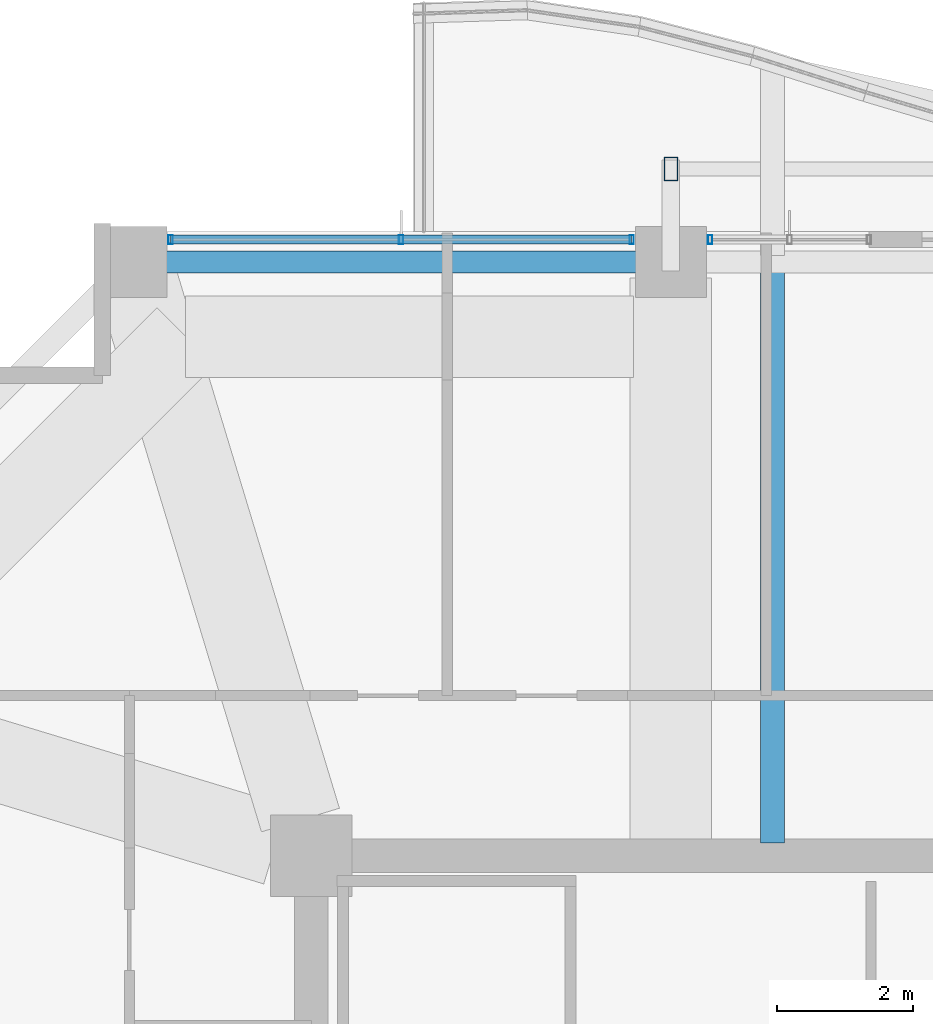
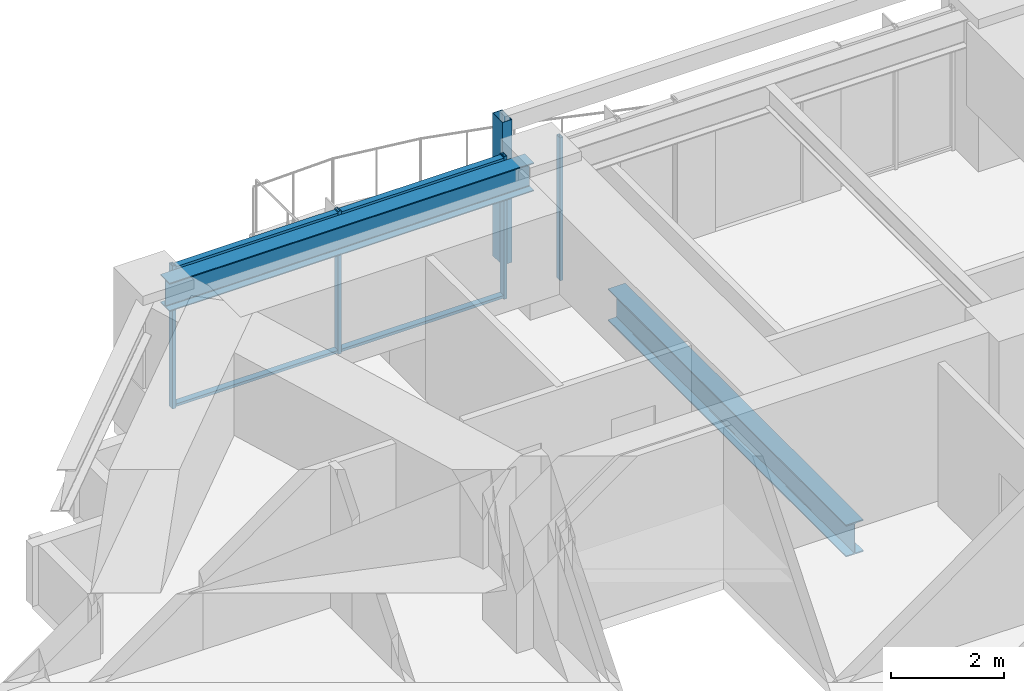
# One storey, part 15 of 28: 7 members, 2 beams, 2 elements without a shape of their own.
"""IFC4 building model written with IfcOpenShell, lengths in metres."""

import ifcopenshell
import ifcopenshell.guid

model = None  # the IFC model being written
_history = None  # IfcOwnerHistory: only IFC2X3 demands one
_inside = {}  # id of a spatial element -> (the spatial element, [elements in it])
_under = {}  # id of a project, library or spatial element -> (it, [spatial elements below it])
_declared = {}  # id of a project -> (the project, [libraries it declares])
_typed = {}  # id of a type object -> (the type object, [elements of that type])
_made_of = {}  # id of a material, layer set ... -> (it, [elements and type objects made of it])


def new_model(schema):
    """Start an empty IFC model of exactly this schema.

    Asked for "IFC4X3", IfcOpenShell would pick the latest addendum, in which some entities
    have other attributes; the version numbers below select the first issue.
    IFC2X3 requires an IfcOwnerHistory on every rooted entity: one is made here for all.
    """
    global model, _history
    if schema == "IFC4X3":
        model = ifcopenshell.file(schema_version=(4, 3, 0, 0))
    else:
        model = ifcopenshell.file(schema=schema)
    _inside.clear()
    _under.clear()
    _declared.clear()
    _typed.clear()
    _made_of.clear()
    _history = None
    if model.schema == "IFC2X3":
        org = make("IfcOrganization", Name="unknown")
        user = make(
            "IfcPersonAndOrganization",
            ThePerson=make("IfcPerson", FamilyName="unknown"),
            TheOrganization=org,
        )
        app = make(
            "IfcApplication",
            ApplicationDeveloper=org,
            Version="unknown",
            ApplicationFullName="unknown",
            ApplicationIdentifier="unknown",
        )
        _history = make(
            "IfcOwnerHistory",
            OwningUser=user,
            OwningApplication=app,
            ChangeAction="ADDED",
            CreationDate=0,
        )
    return model


def make(cls, **values):
    """One entity of the class cls with the attributes given. An attribute that is None is left unset."""
    return model.create_entity(
        cls, **{name: value for name, value in values.items() if value is not None}
    )


def rooted(cls, **values):
    """An entity with a GlobalId (a new one), such as an element, a storey or a relation."""
    return make(cls, GlobalId=ifcopenshell.guid.new(), OwnerHistory=_history, **values)


def si_unit(unit_type, name, prefix=None):
    """IfcSIUnit, for example si_unit("LENGTHUNIT", "METRE", prefix="MILLI")."""
    return make("IfcSIUnit", UnitType=unit_type, Prefix=prefix, Name=name)


def assignment(units):
    """IfcUnitAssignment: the units of a project."""
    return None if units is None else make("IfcUnitAssignment", Units=units)


def point(xyz):
    """IfcCartesianPoint."""
    return None if xyz is None else make("IfcCartesianPoint", Coordinates=xyz)


def direction(xyz):
    """IfcDirection."""
    return None if xyz is None else make("IfcDirection", DirectionRatios=xyz)


def frame(location, z_axis=None, x_axis=None):
    """IfcAxis2Placement3D, a coordinate frame: its origin and axes. An axis left out is left unset."""
    return make(
        "IfcAxis2Placement3D",
        Location=point(location),
        Axis=direction(z_axis),
        RefDirection=direction(x_axis),
    )


def frame_2d(location, x_axis=None):
    """IfcAxis2Placement2D, a coordinate frame in the plane: its origin and x axis."""
    return make(
        "IfcAxis2Placement2D", Location=point(location), RefDirection=direction(x_axis)
    )


def origin():
    """The frame at (0, 0, 0) with its axes left unset."""
    return frame((0.0, 0.0, 0.0))


def origin_2d():
    """The frame at (0, 0) in the plane with its x axis left unset."""
    return frame_2d((0.0, 0.0))


def place(relative_to, where):
    """IfcLocalPlacement: puts the frame where relative to a parent placement (None: the world)."""
    return make(
        "IfcLocalPlacement", PlacementRelTo=relative_to, RelativePlacement=where
    )


def context(
    kind, dimensions, precision=None, world=None, true_north=None, identifier=None
):
    """IfcGeometricRepresentationContext, for example the 3D "Model" context."""
    return make(
        "IfcGeometricRepresentationContext",
        ContextIdentifier=identifier,
        ContextType=kind,
        CoordinateSpaceDimension=dimensions,
        Precision=precision,
        WorldCoordinateSystem=world,
        TrueNorth=true_north,
    )


def subcontext(parent, identifier, kind, view, scale=None):
    """IfcGeometricRepresentationSubContext, for example "Body" below "Model"."""
    return make(
        "IfcGeometricRepresentationSubContext",
        ContextIdentifier=identifier,
        ContextType=kind,
        ParentContext=parent,
        TargetScale=scale,
        TargetView=view,
    )


def project(units=None, contexts=None):
    """IfcProject with its units and contexts."""
    return rooted(
        "IfcProject",
        Name="project",
        RepresentationContexts=contexts,
        UnitsInContext=assignment(units),
    )


def spatial(cls, under=None, at=None, **own):
    """A site, building, storey or space (cls), placed at a placement, below another one or the project."""
    s = rooted(cls, ObjectPlacement=at, **own)
    if under is not None:
        _under.setdefault(under.id(), (under, []))[1].append(s)
    return s


def profile(cls, at=None, kind="AREA", **sizes):
    """A parametric profile (cls). Its sizes go by their IFC names, for example OverallWidth=200.0."""
    return make(cls, ProfileType=kind, Position=at, **sizes)


def hollow_rectangle(**sizes):
    """IfcRectangleHollowProfileDef."""
    return profile("IfcRectangleHollowProfileDef", **sizes)


def i_section(**sizes):
    """IfcIShapeProfileDef."""
    return profile("IfcIShapeProfileDef", **sizes)


def extrude(swept, where, along, depth):
    """IfcExtrudedAreaSolid: the profile swept, set in the frame where, extruded along a direction by depth."""
    return make(
        "IfcExtrudedAreaSolid",
        SweptArea=swept,
        Position=where,
        ExtrudedDirection=direction(along),
        Depth=depth,
    )


def shape(context_of_items, identifier, shape_type, items):
    """IfcShapeRepresentation: the items that make up one representation, for example the "Body"."""
    return make(
        "IfcShapeRepresentation",
        ContextOfItems=context_of_items,
        RepresentationIdentifier=identifier,
        RepresentationType=shape_type,
        Items=items,
    )


def material(Name=None, Category=None):
    """IfcMaterial."""
    return make("IfcMaterial", Name=Name, Category=Category)


def material_profile(
    of_material, cross_section, Name=None, Category=None, Priority=None
):
    """IfcMaterialProfile: a cross section and its material."""
    return make(
        "IfcMaterialProfile",
        Name=Name,
        Material=of_material,
        Profile=cross_section,
        Priority=Priority,
        Category=Category,
    )


def profile_set(profiles, Name=None, composite=None):
    """IfcMaterialProfileSet."""
    return make(
        "IfcMaterialProfileSet",
        Name=Name,
        MaterialProfiles=profiles,
        CompositeProfile=composite,
    )


def made_of(thing, what):
    """Note that an element or type object is made of a material, layer set ...; save() writes the relation."""
    if what is not None:
        _made_of.setdefault(what.id(), (what, []))[1].append(thing)
    return thing


def type_object(cls, material=None, **own):
    """A type object (cls), such as IfcWallType, which elements share."""
    return made_of(rooted(cls, **own), material)


def element(
    cls,
    number,
    at=None,
    inside=None,
    cuts=None,
    type_object=None,
    material=None,
    context=None,
    identifier="Body",
    shape_type=None,
    held_by="IfcProductDefinitionShape",
    body=None,
    shapes=None,
    **own,
):
    """One element of the class cls, such as IfcWall. Its Tag is "e" and its number.

    at: its placement. inside: the storey or other place that contains it. cuts: it is an
    opening in that element (IfcRelVoidsElement). A single representation is given by context,
    identifier, shape_type and body (its items); several are given by shapes. held_by: the class
    of the entity that holds the representations. save() writes the other relations.
    """
    e = rooted(cls, Tag="e%d" % number, ObjectPlacement=at, **own)
    if body is not None:
        shapes = [shape(context, identifier, shape_type, body)]
    if shapes is not None:
        e.Representation = make(held_by, Representations=shapes)
    if inside is not None:
        _inside.setdefault(inside.id(), (inside, []))[1].append(e)
    if cuts is not None:
        rooted(
            "IfcRelVoidsElement", RelatingBuildingElement=cuts, RelatedOpeningElement=e
        )
    if type_object is not None:
        _typed.setdefault(type_object.id(), (type_object, []))[1].append(e)
    return made_of(e, material)


def aggregate(whole, parts):
    """IfcRelAggregates: a whole, such as a stair, and the parts it consists of."""
    return rooted("IfcRelAggregates", RelatingObject=whole, RelatedObjects=parts)


def save(model, path):
    """Write the relations noted so far, then the file.

    IfcRelAggregates (storeys below a building ...), IfcRelContainedInSpatialStructure (elements
    in a storey), IfcRelDefinesByType, IfcRelAssociatesMaterial and IfcRelDeclares: one each for
    every whole, place, type object, material and project.
    """
    for whole, parts in _under.values():
        aggregate(whole, parts)
    for where, things in _inside.values():
        rooted(
            "IfcRelContainedInSpatialStructure",
            RelatedElements=things,
            RelatingStructure=where,
        )
    for kind, things in _typed.values():
        rooted("IfcRelDefinesByType", RelatedObjects=things, RelatingType=kind)
    for what, things in _made_of.values():
        rooted("IfcRelAssociatesMaterial", RelatedObjects=things, RelatingMaterial=what)
    for by, libraries in _declared.values():
        rooted("IfcRelDeclares", RelatingContext=by, RelatedDefinitions=libraries)
    model.write(path)


model = new_model("IFC4")

# Units and contexts
model_context = context("Model", 3, precision=1e-05, world=origin(), true_north=direction((0.0, 1.0)))
body_context = subcontext(model_context, "Body", "Model", "MODEL_VIEW")
ifc_project = project(units=[si_unit("LENGTHUNIT", "METRE"), si_unit("AREAUNIT", "SQUARE_METRE"), si_unit("VOLUMEUNIT", "CUBIC_METRE"), si_unit("PLANEANGLEUNIT", "RADIAN"), si_unit("MASSUNIT", "GRAM", prefix="KILO")], contexts=[model_context])

# Site, building, storey
site_placement = place(None, origin())
site = spatial("IfcSite", under=ifc_project, at=site_placement, CompositionType="ELEMENT")
building_placement = place(site_placement, origin())
building = spatial("IfcBuilding", under=site, at=building_placement, Name="Kolvaren Belvedere", CompositionType="ELEMENT")
storey_placement = place(building_placement, frame((0.0, 0.0, 125.0)))
storey = spatial("IfcBuildingStorey", under=building, at=storey_placement, Name="L36", CompositionType="ELEMENT", Elevation=125.0)

# Beams
ifc_material_1 = material(Name="Structural steel ASTM A992 Grade 50", Category="steel")
ifc_material_profile_1 = material_profile(ifc_material_1, i_section(OverallWidth=0.35498046875, OverallDepth=0.696044921875, WebThickness=0.015380859375, FlangeThickness=0.02490234375, FilletRadius=0.02197265625, at=origin_2d()), Name="W27X146")
ifc_profile_set_1 = profile_set([ifc_material_profile_1], Name="Structural steel ASTM A992 Grade 50")
beam_type_1 = type_object("IfcBeamType", Name="BM-GIRD-W27X146", PredefinedType="BEAM", material=ifc_profile_set_1)
beam_1_placement = place(storey_placement, frame((-3.10009765625, 10.090087890625, -0.568115234375), z_axis=(0.0, 1.0, 0.0), x_axis=(-1.0, 0.0, 0.0)))
element("IfcBeam", 1, at=beam_1_placement, inside=storey, type_object=beam_type_1, Name="L36 Balcony Interior Back-Span Girder BAL-N-1", PredefinedType="BEAM", context=body_context, shape_type="SweptSolid", body=[
    extrude(i_section(OverallWidth=0.35498046875, OverallDepth=0.696044921875, WebThickness=0.015380859375, FlangeThickness=0.02490234375, FilletRadius=0.02197265625, at=origin_2d()), origin(), (0.0, 0.0, 1.0), 8.46484375),
])
ifc_material_2 = material(Name="Structural steel ASTM A992 Grade 50", Category="steel")
ifc_material_profile_2 = material_profile(ifc_material_2, i_section(OverallWidth=0.324951171875, OverallDepth=0.615966796875, WebThickness=0.013916015625, FlangeThickness=0.021484375, FilletRadius=0.02001953125, at=origin_2d()), Name="W24X117")
ifc_profile_set_2 = profile_set([ifc_material_profile_2], Name="Structural steel ASTM A992 Grade 50")
beam_type_2 = type_object("IfcBeamType", Name="BM-SPAN-W24X117", PredefinedType="SPANDREL", material=ifc_profile_set_2)
beam_2_placement = place(storey_placement, frame((-4.836181640625, 18.64990234375, 2.7919921875), z_axis=(-1.0, 0.0, 0.0), x_axis=(0.0, -1.0, 0.0)))
element("IfcBeam", 2, at=beam_2_placement, inside=storey, type_object=beam_type_2, Name="L36 Perimeter Spandrel N2-N1", PredefinedType="SPANDREL", context=body_context, shape_type="SweptSolid", body=[
    extrude(i_section(OverallWidth=0.324951171875, OverallDepth=0.615966796875, WebThickness=0.013916015625, FlangeThickness=0.021484375, FilletRadius=0.02001953125, at=origin_2d()), origin(), (0.0, 0.0, 1.0), 7.4775390625),
])

# Curtain wall, members
ifc_material_3 = material(Name="Anodised pale-metal aluminium AA 6063-T6", Category="aluminium")
curtain_wall_type = type_object("IfcCurtainWallType", Name="CW-Z3-WAIST", PredefinedType="NOTDEFINED", material=ifc_material_3)
curtain_wall_1_placement = place(storey_placement, origin())
curtain_wall_1 = element("IfcCurtainWall", 3, at=curtain_wall_1_placement, inside=storey, type_object=curtain_wall_type, Name="L36 Unitised Curtain Wall FCW-L36-N1-B1", PredefinedType="NOTDEFINED")
ifc_material_4 = material(Name="Anodised pale-metal aluminium AA 6063-T6", Category="aluminium")
ifc_material_profile_3 = material_profile(ifc_material_4, hollow_rectangle(XDim=0.06494140625, YDim=0.1298828125, WallThickness=0.00390625, at=origin_2d()), Name="ALU-MUL-130X65")
ifc_profile_set_3 = profile_set([ifc_material_profile_3], Name="Anodised pale-metal aluminium AA 6063-T6")
member_type_1 = type_object("IfcMemberType", Name="CW-MUL-130", PredefinedType="MULLION", material=ifc_profile_set_3)
member_1_placement = place(storey_placement, frame((-11.972412109375, 18.97998046875, 0.0), z_axis=(0.0, 0.0, 1.0), x_axis=(1.0, 0.0, 0.0)))
member_1 = element("IfcMember", 4, at=member_1_placement, type_object=member_type_1, Name="FCW-L36-N1-B1 Unitised Mullion 1", PredefinedType="MULLION", context=body_context, shape_type="SweptSolid", body=[
    extrude(hollow_rectangle(XDim=0.06494140625, YDim=0.1298828125, WallThickness=0.00390625, at=origin_2d()), origin(), (0.0, 0.0, 1.0), 3.10009765625),
])
member_2_placement = place(storey_placement, frame((-8.574951171875, 18.97998046875, 0.0), z_axis=(0.0, 0.0, 1.0), x_axis=(1.0, 0.0, 0.0)))
member_2 = element("IfcMember", 5, at=member_2_placement, type_object=member_type_1, Name="FCW-L36-N1-B1 Unitised Mullion 2", PredefinedType="MULLION", context=body_context, shape_type="SweptSolid", body=[
    extrude(hollow_rectangle(XDim=0.06494140625, YDim=0.1298828125, WallThickness=0.00390625, at=origin_2d()), origin(), (0.0, 0.0, 1.0), 3.10009765625),
])
member_3_placement = place(storey_placement, frame((-5.177490234375, 18.97998046875, 0.0), z_axis=(0.0, 0.0, 1.0), x_axis=(1.0, 0.0, 0.0)))
member_3 = element("IfcMember", 6, at=member_3_placement, type_object=member_type_1, Name="FCW-L36-N1-B1 Unitised Mullion 3", PredefinedType="MULLION", context=body_context, shape_type="SweptSolid", body=[
    extrude(hollow_rectangle(XDim=0.06494140625, YDim=0.1298828125, WallThickness=0.00390625, at=origin_2d()), origin(), (0.0, 0.0, 1.0), 3.10009765625),
])

# Curtain wall, member
curtain_wall_2_placement = place(storey_placement, origin())
curtain_wall_2 = element("IfcCurtainWall", 7, at=curtain_wall_2_placement, inside=storey, type_object=curtain_wall_type, Name="L36 Unitised Curtain Wall FCW-L36-N1-B2", PredefinedType="NOTDEFINED")
member_4_placement = place(storey_placement, frame((-4.0224609375, 18.97998046875, 0.0), z_axis=(0.0, 0.0, 1.0), x_axis=(1.0, 0.0, 0.0)))
member_4 = element("IfcMember", 8, at=member_4_placement, type_object=member_type_1, Name="FCW-L36-N1-B2 Unitised Mullion 1", PredefinedType="MULLION", context=body_context, shape_type="SweptSolid", body=[
    extrude(hollow_rectangle(XDim=0.06494140625, YDim=0.1298828125, WallThickness=0.00390625, at=origin_2d()), origin(), (0.0, 0.0, 1.0), 3.10009765625),
])
aggregate(curtain_wall_2, [member_4])

# Member
ifc_material_5 = material(Name="Anodised pale-metal aluminium AA 6063-T6", Category="aluminium")
ifc_material_profile_4 = material_profile(ifc_material_5, hollow_rectangle(XDim=0.06005859375, YDim=0.1298828125, WallThickness=0.00390625, at=origin_2d()), Name="ALU-TRN-130X60")
ifc_profile_set_4 = profile_set([ifc_material_profile_4], Name="Anodised pale-metal aluminium AA 6063-T6")
member_type_2 = type_object("IfcMemberType", Name="CW-TRN-130", PredefinedType="USERDEFINED", material=ifc_profile_set_4)
member_5_placement = place(storey_placement, frame((-11.972412109375, 18.97998046875, 0.06005859375), z_axis=(1.0, 0.0, 0.0), x_axis=(0.0, 0.0, 1.0)))
member_5 = element("IfcMember", 9, at=member_5_placement, type_object=member_type_2, Name="FCW-L36-N1-B1 Sill Transom", ObjectType="TRANSOM", PredefinedType="USERDEFINED", context=body_context, shape_type="SweptSolid", body=[
    extrude(hollow_rectangle(XDim=0.06005859375, YDim=0.1298828125, WallThickness=0.00390625, at=origin_2d()), origin(), (0.0, 0.0, 1.0), 6.794921875),
])

member_6_placement = place(storey_placement, frame((-11.972412109375, 18.97998046875, 3.0400390625), z_axis=(1.0, 0.0, 0.0), x_axis=(0.0, 0.0, 1.0)))
member_6 = element("IfcMember", 10, at=member_6_placement, type_object=member_type_2, Name="FCW-L36-N1-B1 Head Transom", ObjectType="TRANSOM", PredefinedType="USERDEFINED", context=body_context, shape_type="SweptSolid", body=[
    extrude(hollow_rectangle(XDim=0.06005859375, YDim=0.1298828125, WallThickness=0.00390625, at=origin_2d()), origin(), (0.0, 0.0, 1.0), 6.794921875),
])

aggregate(curtain_wall_1, [member_1, member_2, member_3, member_5, member_6])

ifc_material_6 = material(Name="Anodised pale-metal aluminium AA 6063-T6", Category="aluminium")
ifc_material_profile_5 = material_profile(ifc_material_6, hollow_rectangle(XDim=0.199951171875, YDim=0.35009765625, WallThickness=0.007568359375, at=origin_2d()), Name="ALU-PF-350X200")
ifc_profile_set_5 = profile_set([ifc_material_profile_5], Name="Anodised pale-metal aluminium AA 6063-T6")
member_type_3 = type_object("IfcMemberType", Name="PF-FRAME-350", PredefinedType="USERDEFINED", material=ifc_profile_set_5)
member_7_placement = place(storey_placement, frame((-4.60009765625, 20.02001953125, 0.0), z_axis=(0.0, 0.0, 1.0), x_axis=(1.0, 0.0, 0.0)))
element("IfcMember", 11, at=member_7_placement, inside=storey, type_object=member_type_3, Name="L36 Outboard Picture-Frame Vertical N1", ObjectType="PICTURE FRAME FIN", PredefinedType="USERDEFINED", context=body_context, shape_type="SweptSolid", body=[
    extrude(hollow_rectangle(XDim=0.199951171875, YDim=0.35009765625, WallThickness=0.007568359375, at=origin_2d()), origin(), (0.0, 0.0, 1.0), 3.10009765625),
])

save(model, "model.ifc")
